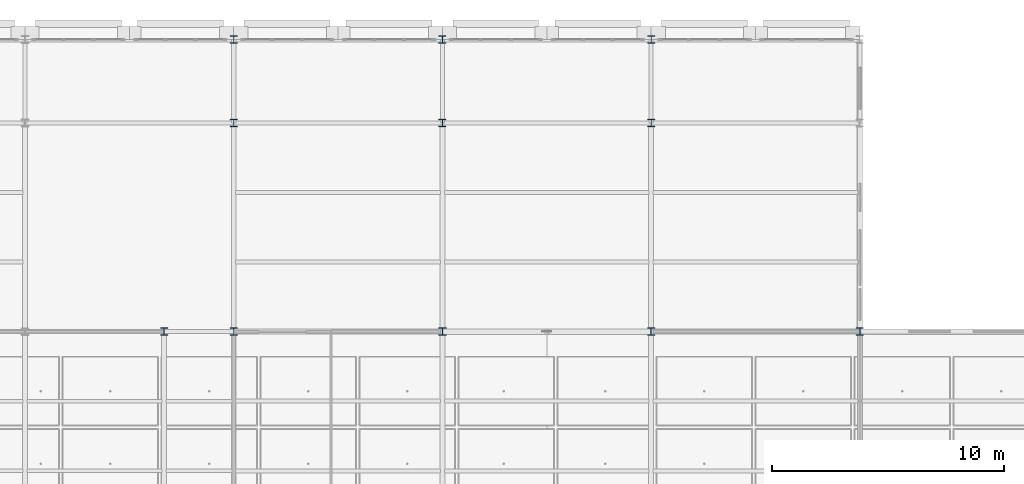
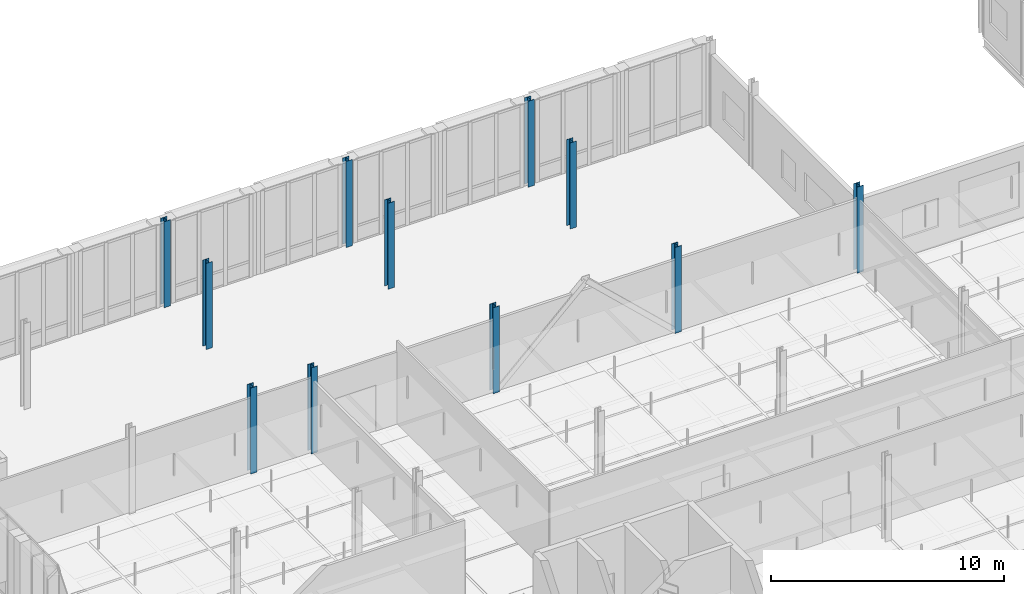
# One storey, part 17 of 130: 11 columns.
"""IFC4 building model written with IfcOpenShell, lengths in metres."""

import ifcopenshell
import ifcopenshell.guid

model = None  # the IFC model being written
_history = None  # IfcOwnerHistory: only IFC2X3 demands one
_inside = {}  # id of a spatial element -> (the spatial element, [elements in it])
_under = {}  # id of a project, library or spatial element -> (it, [spatial elements below it])
_declared = {}  # id of a project -> (the project, [libraries it declares])
_typed = {}  # id of a type object -> (the type object, [elements of that type])
_made_of = {}  # id of a material, layer set ... -> (it, [elements and type objects made of it])


def new_model(schema):
    """Start an empty IFC model of exactly this schema.

    Asked for "IFC4X3", IfcOpenShell would pick the latest addendum, in which some entities
    have other attributes; the version numbers below select the first issue.
    IFC2X3 requires an IfcOwnerHistory on every rooted entity: one is made here for all.
    """
    global model, _history
    if schema == "IFC4X3":
        model = ifcopenshell.file(schema_version=(4, 3, 0, 0))
    else:
        model = ifcopenshell.file(schema=schema)
    _inside.clear()
    _under.clear()
    _declared.clear()
    _typed.clear()
    _made_of.clear()
    _history = None
    if model.schema == "IFC2X3":
        org = make("IfcOrganization", Name="unknown")
        user = make(
            "IfcPersonAndOrganization",
            ThePerson=make("IfcPerson", FamilyName="unknown"),
            TheOrganization=org,
        )
        app = make(
            "IfcApplication",
            ApplicationDeveloper=org,
            Version="unknown",
            ApplicationFullName="unknown",
            ApplicationIdentifier="unknown",
        )
        _history = make(
            "IfcOwnerHistory",
            OwningUser=user,
            OwningApplication=app,
            ChangeAction="ADDED",
            CreationDate=0,
        )
    return model


def make(cls, **values):
    """One entity of the class cls with the attributes given. An attribute that is None is left unset."""
    return model.create_entity(
        cls, **{name: value for name, value in values.items() if value is not None}
    )


def rooted(cls, **values):
    """An entity with a GlobalId (a new one), such as an element, a storey or a relation."""
    return make(cls, GlobalId=ifcopenshell.guid.new(), OwnerHistory=_history, **values)


def si_unit(unit_type, name, prefix=None):
    """IfcSIUnit, for example si_unit("LENGTHUNIT", "METRE", prefix="MILLI")."""
    return make("IfcSIUnit", UnitType=unit_type, Prefix=prefix, Name=name)


def assignment(units):
    """IfcUnitAssignment: the units of a project."""
    return None if units is None else make("IfcUnitAssignment", Units=units)


def point(xyz):
    """IfcCartesianPoint."""
    return None if xyz is None else make("IfcCartesianPoint", Coordinates=xyz)


def direction(xyz):
    """IfcDirection."""
    return None if xyz is None else make("IfcDirection", DirectionRatios=xyz)


def frame(location, z_axis=None, x_axis=None):
    """IfcAxis2Placement3D, a coordinate frame: its origin and axes. An axis left out is left unset."""
    return make(
        "IfcAxis2Placement3D",
        Location=point(location),
        Axis=direction(z_axis),
        RefDirection=direction(x_axis),
    )


def frame_2d(location, x_axis=None):
    """IfcAxis2Placement2D, a coordinate frame in the plane: its origin and x axis."""
    return make(
        "IfcAxis2Placement2D", Location=point(location), RefDirection=direction(x_axis)
    )


def origin():
    """The frame at (0, 0, 0) with its axes left unset."""
    return frame((0.0, 0.0, 0.0))


def origin_2d():
    """The frame at (0, 0) in the plane with its x axis left unset."""
    return frame_2d((0.0, 0.0))


def place(relative_to, where):
    """IfcLocalPlacement: puts the frame where relative to a parent placement (None: the world)."""
    return make(
        "IfcLocalPlacement", PlacementRelTo=relative_to, RelativePlacement=where
    )


def context(
    kind, dimensions, precision=None, world=None, true_north=None, identifier=None
):
    """IfcGeometricRepresentationContext, for example the 3D "Model" context."""
    return make(
        "IfcGeometricRepresentationContext",
        ContextIdentifier=identifier,
        ContextType=kind,
        CoordinateSpaceDimension=dimensions,
        Precision=precision,
        WorldCoordinateSystem=world,
        TrueNorth=true_north,
    )


def subcontext(parent, identifier, kind, view, scale=None):
    """IfcGeometricRepresentationSubContext, for example "Body" below "Model"."""
    return make(
        "IfcGeometricRepresentationSubContext",
        ContextIdentifier=identifier,
        ContextType=kind,
        ParentContext=parent,
        TargetScale=scale,
        TargetView=view,
    )


def project(units=None, contexts=None):
    """IfcProject with its units and contexts."""
    return rooted(
        "IfcProject",
        Name="project",
        RepresentationContexts=contexts,
        UnitsInContext=assignment(units),
    )


def spatial(cls, under=None, at=None, **own):
    """A site, building, storey or space (cls), placed at a placement, below another one or the project."""
    s = rooted(cls, ObjectPlacement=at, **own)
    if under is not None:
        _under.setdefault(under.id(), (under, []))[1].append(s)
    return s


def profile(cls, at=None, kind="AREA", **sizes):
    """A parametric profile (cls). Its sizes go by their IFC names, for example OverallWidth=200.0."""
    return make(cls, ProfileType=kind, Position=at, **sizes)


def i_section(**sizes):
    """IfcIShapeProfileDef."""
    return profile("IfcIShapeProfileDef", **sizes)


def extrude(swept, where, along, depth):
    """IfcExtrudedAreaSolid: the profile swept, set in the frame where, extruded along a direction by depth."""
    return make(
        "IfcExtrudedAreaSolid",
        SweptArea=swept,
        Position=where,
        ExtrudedDirection=direction(along),
        Depth=depth,
    )


def shape(context_of_items, identifier, shape_type, items):
    """IfcShapeRepresentation: the items that make up one representation, for example the "Body"."""
    return make(
        "IfcShapeRepresentation",
        ContextOfItems=context_of_items,
        RepresentationIdentifier=identifier,
        RepresentationType=shape_type,
        Items=items,
    )


def material(Name=None, Category=None):
    """IfcMaterial."""
    return make("IfcMaterial", Name=Name, Category=Category)


def material_profile(
    of_material, cross_section, Name=None, Category=None, Priority=None
):
    """IfcMaterialProfile: a cross section and its material."""
    return make(
        "IfcMaterialProfile",
        Name=Name,
        Material=of_material,
        Profile=cross_section,
        Priority=Priority,
        Category=Category,
    )


def profile_set(profiles, Name=None, composite=None):
    """IfcMaterialProfileSet."""
    return make(
        "IfcMaterialProfileSet",
        Name=Name,
        MaterialProfiles=profiles,
        CompositeProfile=composite,
    )


def made_of(thing, what):
    """Note that an element or type object is made of a material, layer set ...; save() writes the relation."""
    if what is not None:
        _made_of.setdefault(what.id(), (what, []))[1].append(thing)
    return thing


def type_object(cls, material=None, **own):
    """A type object (cls), such as IfcWallType, which elements share."""
    return made_of(rooted(cls, **own), material)


def element(
    cls,
    number,
    at=None,
    inside=None,
    cuts=None,
    type_object=None,
    material=None,
    context=None,
    identifier="Body",
    shape_type=None,
    held_by="IfcProductDefinitionShape",
    body=None,
    shapes=None,
    **own,
):
    """One element of the class cls, such as IfcWall. Its Tag is "e" and its number.

    at: its placement. inside: the storey or other place that contains it. cuts: it is an
    opening in that element (IfcRelVoidsElement). A single representation is given by context,
    identifier, shape_type and body (its items); several are given by shapes. held_by: the class
    of the entity that holds the representations. save() writes the other relations.
    """
    e = rooted(cls, Tag="e%d" % number, ObjectPlacement=at, **own)
    if body is not None:
        shapes = [shape(context, identifier, shape_type, body)]
    if shapes is not None:
        e.Representation = make(held_by, Representations=shapes)
    if inside is not None:
        _inside.setdefault(inside.id(), (inside, []))[1].append(e)
    if cuts is not None:
        rooted(
            "IfcRelVoidsElement", RelatingBuildingElement=cuts, RelatedOpeningElement=e
        )
    if type_object is not None:
        _typed.setdefault(type_object.id(), (type_object, []))[1].append(e)
    return made_of(e, material)


def aggregate(whole, parts):
    """IfcRelAggregates: a whole, such as a stair, and the parts it consists of."""
    return rooted("IfcRelAggregates", RelatingObject=whole, RelatedObjects=parts)


def save(model, path):
    """Write the relations noted so far, then the file.

    IfcRelAggregates (storeys below a building ...), IfcRelContainedInSpatialStructure (elements
    in a storey), IfcRelDefinesByType, IfcRelAssociatesMaterial and IfcRelDeclares: one each for
    every whole, place, type object, material and project.
    """
    for whole, parts in _under.values():
        aggregate(whole, parts)
    for where, things in _inside.values():
        rooted(
            "IfcRelContainedInSpatialStructure",
            RelatedElements=things,
            RelatingStructure=where,
        )
    for kind, things in _typed.values():
        rooted("IfcRelDefinesByType", RelatedObjects=things, RelatingType=kind)
    for what, things in _made_of.values():
        rooted("IfcRelAssociatesMaterial", RelatedObjects=things, RelatingMaterial=what)
    for by, libraries in _declared.values():
        rooted("IfcRelDeclares", RelatingContext=by, RelatedDefinitions=libraries)
    model.write(path)


model = new_model("IFC4")

# Units and contexts
model_context = context("Model", 3, precision=1e-05, world=origin(), true_north=direction((0.0, 1.0)))
body_context = subcontext(model_context, "Body", "Model", "MODEL_VIEW")
ifc_project = project(units=[si_unit("LENGTHUNIT", "METRE"), si_unit("AREAUNIT", "SQUARE_METRE"), si_unit("VOLUMEUNIT", "CUBIC_METRE"), si_unit("PLANEANGLEUNIT", "RADIAN"), si_unit("MASSUNIT", "GRAM", prefix="KILO"), si_unit("THERMODYNAMICTEMPERATUREUNIT", "KELVIN"), si_unit("POWERUNIT", "WATT")], contexts=[model_context])

# Site, building, storey
site_placement = place(None, origin())
site = spatial("IfcSite", under=ifc_project, at=site_placement, CompositionType="ELEMENT")
building_placement = place(site_placement, origin())
building = spatial("IfcBuilding", under=site, at=building_placement, Name="Tallowbark Science Centre", CompositionType="ELEMENT")
storey_placement = place(building_placement, frame((0.0, 0.0, 5.39990234375)))
storey = spatial("IfcBuildingStorey", under=building, at=storey_placement, Name="L01", CompositionType="ELEMENT", Elevation=5.39990234375)

# Columns
ifc_material = material(Name="Structural Steel Grade 300PLUS (300 MPa)", Category="steel")
ifc_material_profile_1 = material_profile(ifc_material, i_section(OverallWidth=0.30908203125, OverallDepth=0.320556640625, WebThickness=0.013916015625, FlangeThickness=0.021728515625, FilletRadius=0.0166015625, at=origin_2d()), Name="310UC137")
ifc_profile_set_1 = profile_set([ifc_material_profile_1], Name="Structural Steel Grade 300PLUS (300 MPa)")
column_type_1 = type_object("IfcColumnType", Name="COL-UC310B", PredefinedType="COLUMN", material=ifc_profile_set_1)
for number, where, z_axis, x_axis, name in (
    (1, (69.0, 99.0, 0.0), (0.0, 0.0, 1.0), (1.0, 0.0, 0.0), "Column LAB-2_3 L01"),
    (2, (72.0, 99.0, 0.0), (0.0, 0.0, 1.0), (1.0, 0.0, 0.0), "Column LAB-3_3 L01"),
    (3, (81.0, 99.0, 0.0), (0.0, 0.0, 1.0), (1.0, 0.0, 0.0), "Column LAB-4_3 L01"),
    (4, (90.0, 99.0, 0.0), (0.0, 0.0, 1.0), (1.0, 0.0, 0.0), "Column LAB-5_3 L01"),
    (5, (99.0, 99.0, 0.0), (0.0, 0.0, 1.0), (1.0, 0.0, 0.0), "Column LAB-6_3 L01"),
):
    element("IfcColumn", number, at=place(storey_placement, frame(where, z_axis=z_axis, x_axis=x_axis)), inside=storey, type_object=column_type_1, Name=name, PredefinedType="COLUMN", context=body_context, shape_type="SweptSolid", body=[
        extrude(i_section(OverallWidth=0.30908203125, OverallDepth=0.320556640625, WebThickness=0.013916015625, FlangeThickness=0.021728515625, FilletRadius=0.0166015625, at=origin_2d()), origin(), (0.0, 0.0, 1.0), 4.5),
    ])
ifc_material_profile_2 = material_profile(ifc_material, i_section(OverallWidth=0.304931640625, OverallDepth=0.30810546875, WebThickness=0.010009765625, FlangeThickness=0.015380859375, FilletRadius=0.0166015625, at=origin_2d()), Name="310UC96.8")
ifc_profile_set_2 = profile_set([ifc_material_profile_2], Name="Structural Steel Grade 300PLUS (300 MPa)")
column_type_2 = type_object("IfcColumnType", Name="COL-UC310D", PredefinedType="COLUMN", material=ifc_profile_set_2)
for number, where, z_axis, x_axis, name in (
    (6, (72.0, 108.0, 0.0), (0.0, 0.0, 1.0), (1.0, 0.0, 0.0), "Column LAB-3_4 L01"),
    (7, (72.0, 111.60009765625, 0.0), (0.0, 0.0, 1.0), (1.0, 0.0, 0.0), "Column LAB-3_5 L01"),
    (8, (81.0, 108.0, 0.0), (0.0, 0.0, 1.0), (1.0, 0.0, 0.0), "Column LAB-4_4 L01"),
    (9, (81.0, 111.60009765625, 0.0), (0.0, 0.0, 1.0), (1.0, 0.0, 0.0), "Column LAB-4_5 L01"),
    (10, (90.0, 108.0, 0.0), (0.0, 0.0, 1.0), (1.0, 0.0, 0.0), "Column LAB-5_4 L01"),
    (11, (90.0, 111.60009765625, 0.0), (0.0, 0.0, 1.0), (1.0, 0.0, 0.0), "Column LAB-5_5 L01"),
):
    element("IfcColumn", number, at=place(storey_placement, frame(where, z_axis=z_axis, x_axis=x_axis)), inside=storey, type_object=column_type_2, Name=name, PredefinedType="COLUMN", context=body_context, shape_type="SweptSolid", body=[
        extrude(i_section(OverallWidth=0.304931640625, OverallDepth=0.30810546875, WebThickness=0.010009765625, FlangeThickness=0.015380859375, FilletRadius=0.0166015625, at=origin_2d()), origin(), (0.0, 0.0, 1.0), 4.5),
    ])

save(model, "model.ifc")
